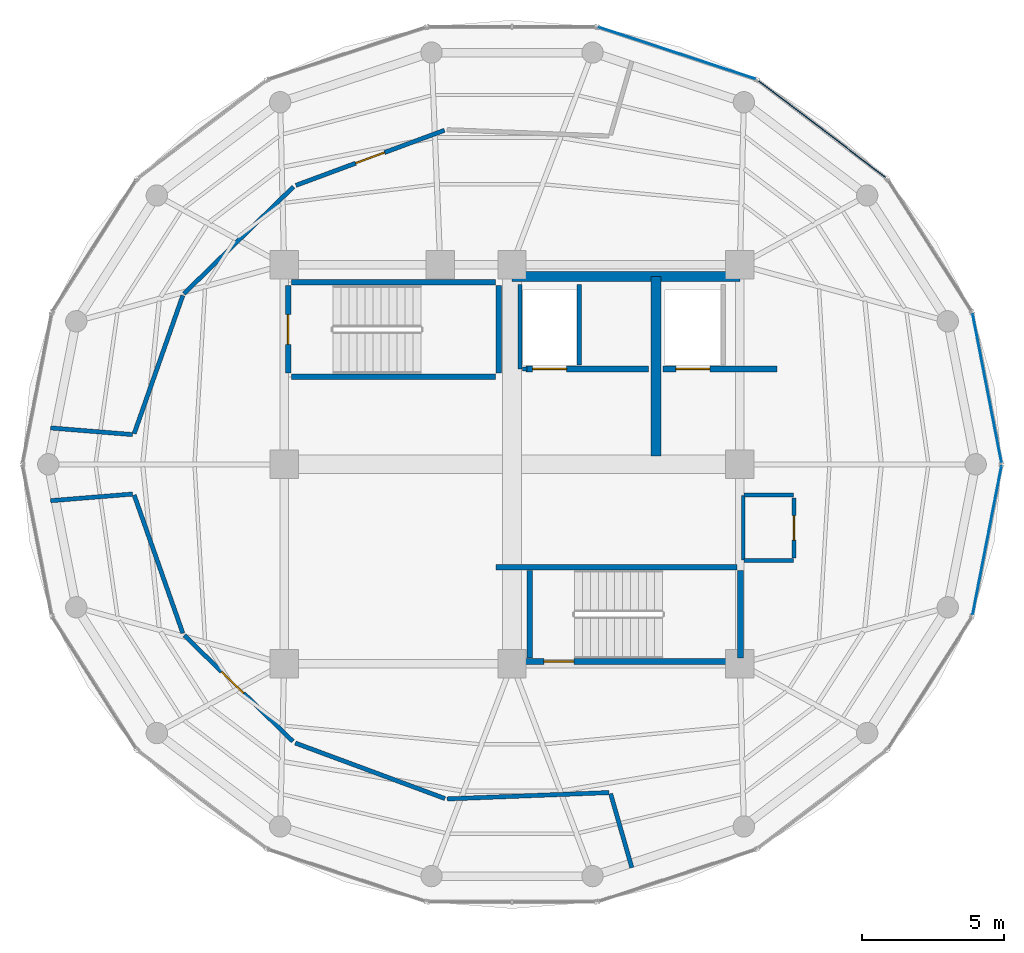
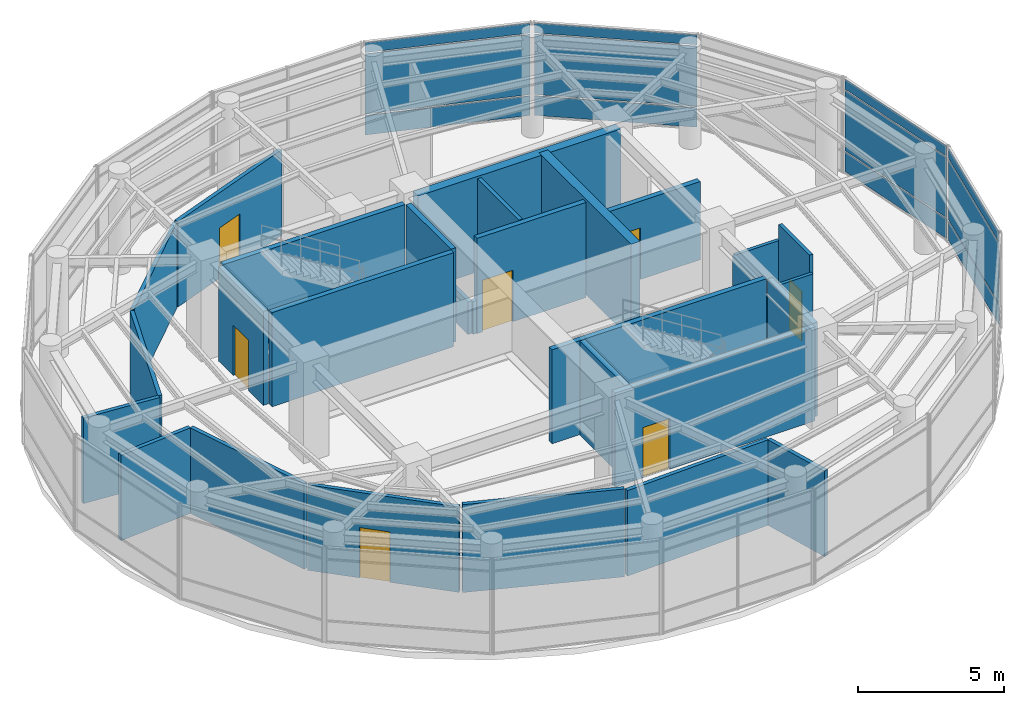
# One storey, part 17 of 19: 29 walls, 12 plates, 7 doors, 7 openings, 4 elements without a shape of their own.
"""IFC4 building model written with IfcOpenShell, lengths in metres."""

from ifc_helpers import new_model, si_unit, direction, frame, frame_2d, origin, origin_2d, place, context, subcontext, project, spatial, rectangle, extrude, source, transform, mapped, material, layer, layer_set, type_object, element, fill, aggregate, save


model = new_model("IFC4")

# Units and contexts
model_context = context("Model", 3, precision=1e-05, world=origin(), true_north=direction((0.0, 1.0)))
body_context = subcontext(model_context, "Body", "Model", "MODEL_VIEW")
ifc_project = project(units=[si_unit("LENGTHUNIT", "METRE"), si_unit("AREAUNIT", "SQUARE_METRE"), si_unit("VOLUMEUNIT", "CUBIC_METRE"), si_unit("PLANEANGLEUNIT", "RADIAN"), si_unit("MASSUNIT", "GRAM", prefix="KILO")], contexts=[model_context])

# Site, building, storey
site_placement = place(None, origin())
site = spatial("IfcSite", under=ifc_project, at=site_placement, CompositionType="ELEMENT")
building_placement = place(site_placement, origin())
building = spatial("IfcBuilding", under=site, at=building_placement, Name="Kelanora Arch Commons", CompositionType="ELEMENT")
storey_placement = place(building_placement, frame((0.0, 0.0, 306.89990234375)))
storey = spatial("IfcBuildingStorey", under=building, at=storey_placement, Name="L78", CompositionType="ELEMENT", Elevation=306.89990234375)

# Curtain wall, plate
ifc_material_1 = material(Name="Terracotta ceramic-fritted low-E glass and aluminium", Category="masonry")
ifc_layer_1 = layer(ifc_material_1, 0.14990234375)
ifc_layer_set_1 = layer_set([ifc_layer_1], Name="Terracotta ceramic-fritted low-E glass and aluminium")
curtain_wall_type = type_object("IfcCurtainWallType", Name="CW-SYS-06", PredefinedType="NOTDEFINED", material=ifc_layer_set_1)
curtain_wall_1_placement = place(storey_placement, origin())
curtain_wall_1 = element("IfcCurtainWall", 1, at=curtain_wall_1_placement, inside=storey, type_object=curtain_wall_type, Name="Unitised Curtain Wall L78-B00", PredefinedType="NOTDEFINED")
ifc_material_2 = material(Name="Terracotta ceramic-fritted double glazing", Category="masonry")
ifc_layer_2 = layer(ifc_material_2, 0.028076171875)
ifc_layer_set_2 = layer_set([ifc_layer_2], Name="Terracotta ceramic-fritted double glazing")
plate_type = type_object("IfcPlateType", Name="CWP-FRIT", PredefinedType="CURTAIN_PANEL", material=ifc_layer_set_2)
shared_shape_1 = source(origin(), body_context, "Body", "SweptSolid", [
    extrude(rectangle(XDim=5.285400390625, YDim=0.028076171875, at=origin_2d()), origin(), (0.0, 0.0, 1.0), 0.81005859375),
])
plate_1_placement = place(storey_placement, frame((90.681396484375, 60.667724609375, 0.06005859375), z_axis=(0.0, 0.0, 1.0), x_axis=(-0.190826579571, 0.981623765263, 0.0)))
plate_1 = element("IfcPlate", 2, at=plate_1_placement, type_object=plate_type, Name="CW-06 panel 1.1", PredefinedType="CURTAIN_PANEL", context=body_context, shape_type="MappedRepresentation", body=[
    mapped(shared_shape_1, transform((0.0, 0.0, 0.0), scale=1.0)),
])

curtain_wall_2_placement = place(storey_placement, origin())
curtain_wall_2 = element("IfcCurtainWall", 3, at=curtain_wall_2_placement, inside=storey, type_object=curtain_wall_type, Name="Unitised Curtain Wall L78-B17", PredefinedType="NOTDEFINED")
plate_2_placement = place(storey_placement, frame((90.681396484375, 55.332275390625, 0.06005859375), z_axis=(0.0, 0.0, 1.0), x_axis=(0.190826579571, 0.981623765263, 0.0)))
plate_2 = element("IfcPlate", 4, at=plate_2_placement, type_object=plate_type, Name="CW-06 panel 1.1", PredefinedType="CURTAIN_PANEL", context=body_context, shape_type="MappedRepresentation", body=[
    mapped(shared_shape_1, transform((0.0, 0.0, 0.0), scale=1.0)),
])

# Plate
shared_shape_2 = source(origin(), body_context, "Body", "SweptSolid", [
    extrude(rectangle(XDim=5.285400390625, YDim=0.028076171875, at=origin_2d()), origin(), (0.0, 0.0, 1.0), 0.409912109375),
])
plate_3_placement = place(storey_placement, frame((90.681396484375, 60.667724609375, 3.4951171875), z_axis=(0.0, 0.0, 1.0), x_axis=(-0.190826579571, 0.981623765263, 0.0)))
plate_3 = element("IfcPlate", 5, at=plate_3_placement, type_object=plate_type, Name="CW-06 panel 1.3", PredefinedType="CURTAIN_PANEL", context=body_context, shape_type="MappedRepresentation", body=[
    mapped(shared_shape_2, transform((0.0, 0.0, 0.0), scale=1.0)),
])

plate_4_placement = place(storey_placement, frame((90.681396484375, 55.332275390625, 3.4951171875), z_axis=(0.0, 0.0, 1.0), x_axis=(0.190826579571, 0.981623765263, 0.0)))
plate_4 = element("IfcPlate", 6, at=plate_4_placement, type_object=plate_type, Name="CW-06 panel 1.3", PredefinedType="CURTAIN_PANEL", context=body_context, shape_type="MappedRepresentation", body=[
    mapped(shared_shape_2, transform((0.0, 0.0, 0.0), scale=1.0)),
])

# Curtain wall, plates
curtain_wall_3_placement = place(storey_placement, origin())
curtain_wall_3 = element("IfcCurtainWall", 7, at=curtain_wall_3_placement, inside=storey, type_object=curtain_wall_type, Name="Unitised Curtain Wall L78-B03", PredefinedType="NOTDEFINED")
shared_shape_3 = source(origin(), body_context, "Body", "SweptSolid", [
    extrude(rectangle(XDim=5.76123046875, YDim=0.028076171875, at=origin_2d()), origin(), (0.0, 0.0, 1.0), 0.81005859375),
])
plate_5_placement = place(storey_placement, frame((79.79345703125, 72.4365234375, 0.06005859375), z_axis=(0.0, 0.0, 1.0), x_axis=(-0.949599145368, 0.313466845323, 0.0)))
plate_5 = element("IfcPlate", 8, at=plate_5_placement, type_object=plate_type, Name="CW-06 panel 1.1", PredefinedType="CURTAIN_PANEL", context=body_context, shape_type="MappedRepresentation", body=[
    mapped(shared_shape_3, transform((0.0, 0.0, 0.0), scale=1.0)),
])
shared_shape_4 = source(origin(), body_context, "Body", "SweptSolid", [
    extrude(rectangle(XDim=5.76123046875, YDim=0.028076171875, at=origin_2d()), origin(), (0.0, 0.0, 1.0), 0.409912109375),
])
plate_6_placement = place(storey_placement, frame((79.79345703125, 72.4365234375, 3.4951171875), z_axis=(0.0, 0.0, 1.0), x_axis=(-0.949599145368, 0.313466845323, 0.0)))
plate_6 = element("IfcPlate", 9, at=plate_6_placement, type_object=plate_type, Name="CW-06 panel 1.3", PredefinedType="CURTAIN_PANEL", context=body_context, shape_type="MappedRepresentation", body=[
    mapped(shared_shape_4, transform((0.0, 0.0, 0.0), scale=1.0)),
])

curtain_wall_4_placement = place(storey_placement, origin())
curtain_wall_4 = element("IfcCurtainWall", 10, at=curtain_wall_4_placement, inside=storey, type_object=curtain_wall_type, Name="Unitised Curtain Wall L78-B02", PredefinedType="NOTDEFINED")
shared_shape_5 = source(origin(), body_context, "Body", "SweptSolid", [
    extrude(rectangle(XDim=5.6005859375, YDim=0.028076171875, at=origin_2d()), origin(), (0.0, 0.0, 1.0), 0.81005859375),
])
plate_7_placement = place(storey_placement, frame((84.887939453125, 69.768798828125, 0.06005859375), z_axis=(0.0, 0.0, 1.0), x_axis=(-0.795772286688, 0.605595960801, 0.0)))
plate_7 = element("IfcPlate", 11, at=plate_7_placement, type_object=plate_type, Name="CW-06 panel 1.1", PredefinedType="CURTAIN_PANEL", context=body_context, shape_type="MappedRepresentation", body=[
    mapped(shared_shape_5, transform((0.0, 0.0, 0.0), scale=1.0)),
])
shared_shape_6 = source(origin(), body_context, "Body", "SweptSolid", [
    extrude(rectangle(XDim=5.6005859375, YDim=0.028076171875, at=origin_2d()), origin(), (0.0, 0.0, 1.0), 0.409912109375),
])
plate_8_placement = place(storey_placement, frame((84.887939453125, 69.768798828125, 3.4951171875), z_axis=(0.0, 0.0, 1.0), x_axis=(-0.795772286688, 0.605595960801, 0.0)))
plate_8 = element("IfcPlate", 12, at=plate_8_placement, type_object=plate_type, Name="CW-06 panel 1.3", PredefinedType="CURTAIN_PANEL", context=body_context, shape_type="MappedRepresentation", body=[
    mapped(shared_shape_6, transform((0.0, 0.0, 0.0), scale=1.0)),
])

# Plate
shared_shape_7 = source(origin(), body_context, "Body", "SweptSolid", [
    extrude(rectangle(XDim=5.285400390625, YDim=0.028076171875, at=origin_2d()), origin(), (0.0, 0.0, 1.0), 2.5048828125),
])
plate_9_placement = place(storey_placement, frame((90.681396484375, 60.667724609375, 0.93017578125), z_axis=(0.0, 0.0, 1.0), x_axis=(-0.190826579571, 0.981623765263, 0.0)))
plate_9 = element("IfcPlate", 13, at=plate_9_placement, type_object=plate_type, Name="CW-06 panel 1.2", PredefinedType="CURTAIN_PANEL", context=body_context, shape_type="MappedRepresentation", body=[
    mapped(shared_shape_7, transform((0.0, 0.0, 0.0), scale=1.0)),
])

aggregate(curtain_wall_1, [plate_1, plate_9, plate_3])

plate_10_placement = place(storey_placement, frame((90.681396484375, 55.332275390625, 0.93017578125), z_axis=(0.0, 0.0, 1.0), x_axis=(0.190826579571, 0.981623765263, 0.0)))
plate_10 = element("IfcPlate", 14, at=plate_10_placement, type_object=plate_type, Name="CW-06 panel 1.2", PredefinedType="CURTAIN_PANEL", context=body_context, shape_type="MappedRepresentation", body=[
    mapped(shared_shape_7, transform((0.0, 0.0, 0.0), scale=1.0)),
])

aggregate(curtain_wall_2, [plate_2, plate_10, plate_4])

shared_shape_8 = source(origin(), body_context, "Body", "SweptSolid", [
    extrude(rectangle(XDim=5.6005859375, YDim=0.028076171875, at=origin_2d()), origin(), (0.0, 0.0, 1.0), 2.5048828125),
])
plate_11_placement = place(storey_placement, frame((84.887939453125, 69.768798828125, 0.93017578125), z_axis=(0.0, 0.0, 1.0), x_axis=(-0.795772286688, 0.605595960801, 0.0)))
plate_11 = element("IfcPlate", 15, at=plate_11_placement, type_object=plate_type, Name="CW-06 panel 1.2", PredefinedType="CURTAIN_PANEL", context=body_context, shape_type="MappedRepresentation", body=[
    mapped(shared_shape_8, transform((0.0, 0.0, 0.0), scale=1.0)),
])

aggregate(curtain_wall_4, [plate_7, plate_11, plate_8])

shared_shape_9 = source(origin(), body_context, "Body", "SweptSolid", [
    extrude(rectangle(XDim=5.76123046875, YDim=0.028076171875, at=origin_2d()), origin(), (0.0, 0.0, 1.0), 2.5048828125),
])
plate_12_placement = place(storey_placement, frame((79.79345703125, 72.4365234375, 0.93017578125), z_axis=(0.0, 0.0, 1.0), x_axis=(-0.949599145368, 0.313466845323, 0.0)))
plate_12 = element("IfcPlate", 16, at=plate_12_placement, type_object=plate_type, Name="CW-06 panel 1.2", PredefinedType="CURTAIN_PANEL", context=body_context, shape_type="MappedRepresentation", body=[
    mapped(shared_shape_9, transform((0.0, 0.0, 0.0), scale=1.0)),
])

aggregate(curtain_wall_3, [plate_5, plate_12, plate_6])

# Walls
ifc_material_3 = material(Name="Autoclaved aerated concrete blockwork with fire plaster", Category="masonry")
ifc_layer_3 = layer(ifc_material_3, 0.14990234375)
ifc_layer_set_3 = layer_set([ifc_layer_3], Name="Autoclaved aerated concrete blockwork with fire plaster")
wall_type_1 = type_object("IfcWallType", Name="W-COMP-150", PredefinedType="PARTITIONING", material=ifc_layer_set_3)
wall_1_placement = place(storey_placement, frame((74.280029296875, 61.35009765625, 0.0), z_axis=(0.0, 0.0, 1.0), x_axis=(0.0, 1.0, 0.0)))
element("IfcWall", 17, at=wall_1_placement, inside=storey, type_object=wall_type_1, Name="Firefighting Lift 1 West Shaft Wall L78", PredefinedType="PARTITIONING", context=body_context, shape_type="SweptSolid", body=[
    extrude(rectangle(XDim=2.969970703125, YDim=0.14990234375, at=frame_2d((1.48486328125, 0.0))), origin(), (0.0, 0.0, 1.0), 1.364990234375),
])
wall_2_placement = place(storey_placement, frame((74.360107421875, 61.35009765625, 0.0), z_axis=(0.0, 0.0, 1.0), x_axis=(1.0, 0.0, 0.0)))
element("IfcWall", 18, at=wall_2_placement, inside=storey, type_object=wall_type_1, Name="Firefighting Lift 1 South-West Sill Wall L78", PredefinedType="PARTITIONING", context=body_context, shape_type="SweptSolid", body=[
    extrude(rectangle(XDim=0.159912109375, YDim=0.14990234375, at=frame_2d((0.080078125, 0.0))), origin(), (0.0, 0.0, 1.0), 1.364990234375),
])
wall_3_placement = place(storey_placement, frame((76.360107421875, 61.47998046875, 0.0), z_axis=(0.0, 0.0, 1.0), x_axis=(0.0, 1.0, 0.0)))
element("IfcWall", 19, at=wall_3_placement, inside=storey, type_object=wall_type_1, Name="Firefighting Lift 1 East Shaft Wall L78", PredefinedType="PARTITIONING", context=body_context, shape_type="SweptSolid", body=[
    extrude(rectangle(XDim=2.840087890625, YDim=0.14990234375, at=frame_2d((1.419921875, 0.0))), origin(), (0.0, 0.0, 1.0), 3.97021484375),
])

# Wall, opening, door
wall_4_placement = place(storey_placement, frame((71.628662109375, 69.72802734375, 0.0), z_axis=(0.0, 0.0, 1.0), x_axis=(-0.937610047719, -0.34768865155, 0.0)))
wall_4 = element("IfcWall", 20, at=wall_4_placement, inside=storey, type_object=wall_type_1, Name="Crown Chiller and Cooling Tower Plant Room L78 Entry Partition", PredefinedType="PARTITIONING", context=body_context, shape_type="SweptSolid", body=[
    extrude(rectangle(XDim=5.5654296875, YDim=0.14990234375, at=frame_2d((2.78271484375, 0.0))), origin(), (0.0, 0.0, 1.0), 3.565185546875),
])
opening_1_placement = place(wall_4_placement, frame((2.242919921875, 0.0, 0.0)))
opening_1 = element("IfcOpeningElement", 21, at=opening_1_placement, cuts=wall_4, Name="Opening D-PLT1", PredefinedType="OPENING", context=body_context, shape_type="SweptSolid", body=[
    extrude(rectangle(XDim=1.080078125, YDim=2.10009765625, at=frame_2d((0.5400390625, 1.050048828125))), frame((0.0, 0.0849609375, 0.0), z_axis=(0.0, -1.0, 0.0), x_axis=(1.0, 0.0, 0.0)), (0.0, 0.0, 1.0), 0.169921875),
])
ifc_material_4 = material(Name="Galvanised steel plant and riser fire door", Category="steel")
door_type_1 = type_object("IfcDoorType", Name="D-PLT-110", OperationType="NOTDEFINED", PredefinedType="DOOR", material=ifc_material_4)
door_1_placement = place(opening_1_placement, origin())
door_1 = element("IfcDoor", 22, at=door_1_placement, inside=storey, type_object=door_type_1, Name="Crown Chiller and Cooling Tower Plant Room L78 Door", OperationType="SINGLE_SWING_RIGHT", OverallHeight=2.10009765625, OverallWidth=1.080078125, PredefinedType="DOOR", context=body_context, shape_type="SweptSolid", body=[
    extrude(rectangle(XDim=1.080078125, YDim=2.10009765625, at=frame_2d((0.5400390625, 1.050048828125))), frame((0.0, 0.02490234375, 0.0), z_axis=(0.0, -1.0, 0.0), x_axis=(1.0, 0.0, 0.0)), (0.0, 0.0, 1.0), 0.050048828125),
])
fill(opening_1, door_1)

wall_5_placement = place(storey_placement, frame((62.498779296875, 51.9931640625, 0.0), z_axis=(0.0, 0.0, 1.0), x_axis=(0.71541878573, -0.698695900249, 0.0)))
wall_5 = element("IfcWall", 23, at=wall_5_placement, inside=storey, type_object=wall_type_1, Name="Broadcast Transmitter and Machine Plant Room L78 Entry Partition", PredefinedType="PARTITIONING", context=body_context, shape_type="SweptSolid", body=[
    extrude(rectangle(XDim=5.32861328125, YDim=0.14990234375, at=frame_2d((2.664306640625, 0.0))), origin(), (0.0, 0.0, 1.0), 3.565185546875),
])
opening_2_placement = place(wall_5_placement, frame((1.823974609375, 0.0, 0.0)))
opening_2 = element("IfcOpeningElement", 24, at=opening_2_placement, cuts=wall_5, Name="Opening D-PLT1", PredefinedType="OPENING", context=body_context, shape_type="SweptSolid", body=[
    extrude(rectangle(XDim=1.080078125, YDim=2.10009765625, at=frame_2d((0.5400390625, 1.050048828125))), frame((0.0, 0.0849609375, 0.0), z_axis=(0.0, -1.0, 0.0), x_axis=(1.0, 0.0, 0.0)), (0.0, 0.0, 1.0), 0.169921875),
])
door_2_placement = place(opening_2_placement, origin())
door_2 = element("IfcDoor", 25, at=door_2_placement, inside=storey, type_object=door_type_1, Name="Broadcast Transmitter and Machine Plant Room L78 Door", OperationType="SINGLE_SWING_LEFT", OverallHeight=2.10009765625, OverallWidth=1.080078125, PredefinedType="DOOR", context=body_context, shape_type="SweptSolid", body=[
    extrude(rectangle(XDim=1.080078125, YDim=2.10009765625, at=frame_2d((0.5400390625, 1.050048828125))), frame((0.0, 0.02490234375, 0.0), z_axis=(0.0, -1.0, 0.0), x_axis=(1.0, 0.0, 0.0)), (0.0, 0.0, 1.0), 0.050048828125),
])
fill(opening_2, door_2)

# Walls
wall_6_placement = place(storey_placement, frame((66.325439453125, 67.744140625, 0.0), z_axis=(0.0, 0.0, 1.0), x_axis=(-0.715402081333, -0.698713004047, 0.0)))
element("IfcWall", 26, at=wall_6_placement, inside=storey, type_object=wall_type_1, Name="Crown Chiller and Cooling Tower Plant Room L78 Enclosure Partition 3", PredefinedType="PARTITIONING", context=body_context, shape_type="SweptSolid", body=[
    extrude(rectangle(XDim=5.36865234375, YDim=0.14990234375, at=frame_2d((2.684326171875, 0.0))), origin(), (0.0, 0.0, 1.0), 3.565185546875),
])
wall_7_placement = place(storey_placement, frame((62.442626953125, 63.92724609375, 0.0), z_axis=(0.0, 0.0, 1.0), x_axis=(-0.332236382146, -0.943196154773, 0.0)))
element("IfcWall", 27, at=wall_7_placement, inside=storey, type_object=wall_type_1, Name="Crown Chiller and Cooling Tower Plant Room L78 Enclosure Partition 4", PredefinedType="PARTITIONING", context=body_context, shape_type="SweptSolid", body=[
    extrude(rectangle(XDim=5.1416015625, YDim=0.14990234375, at=frame_2d((2.57080078125, 0.0))), origin(), (0.0, 0.0, 1.0), 3.565185546875),
])
wall_8_placement = place(storey_placement, frame((60.68115234375, 59.043212890625, 0.0), z_axis=(0.0, 0.0, 1.0), x_axis=(-0.996696214814, 0.081219796696, 0.0)))
element("IfcWall", 28, at=wall_8_placement, inside=storey, type_object=wall_type_1, Name="Crown Chiller and Cooling Tower Plant Room L78 Enclosure Partition 5", PredefinedType="PARTITIONING", context=body_context, shape_type="SweptSolid", body=[
    extrude(rectangle(XDim=2.888671875, YDim=0.14990234375, at=frame_2d((1.4443359375, 0.0))), origin(), (0.0, 0.0, 1.0), 3.565185546875),
])
wall_9_placement = place(storey_placement, frame((60.734375, 56.92236328125, 0.0), z_axis=(0.0, 0.0, 1.0), x_axis=(0.332236382146, -0.943196154773, 0.0)))
element("IfcWall", 29, at=wall_9_placement, inside=storey, type_object=wall_type_1, Name="Broadcast Transmitter and Machine Plant Room L78 Enclosure Partition 1", PredefinedType="PARTITIONING", context=body_context, shape_type="SweptSolid", body=[
    extrude(rectangle(XDim=5.1416015625, YDim=0.14990234375, at=frame_2d((2.57080078125, 0.0))), origin(), (0.0, 0.0, 1.0), 3.565185546875),
])
wall_10_placement = place(storey_placement, frame((66.3916015625, 48.214111328125, 0.0), z_axis=(0.0, 0.0, 1.0), x_axis=(0.937597367655, -0.347722843894, 0.0)))
element("IfcWall", 30, at=wall_10_placement, inside=storey, type_object=wall_type_1, Name="Broadcast Transmitter and Machine Plant Room L78 Enclosure Partition 3", PredefinedType="PARTITIONING", context=body_context, shape_type="SweptSolid", body=[
    extrude(rectangle(XDim=5.605712890625, YDim=0.14990234375, at=frame_2d((2.802734375, 0.0))), origin(), (0.0, 0.0, 1.0), 3.6650390625),
])
wall_11_placement = place(storey_placement, frame((71.72509765625, 46.252685546875, 0.0), z_axis=(0.0, 0.0, 1.0), x_axis=(0.999233860457, 0.03913683834, 0.0)))
element("IfcWall", 31, at=wall_11_placement, inside=storey, type_object=wall_type_1, Name="Broadcast Transmitter and Machine Plant Room L78 Enclosure Partition 4", PredefinedType="PARTITIONING", context=body_context, shape_type="SweptSolid", body=[
    extrude(rectangle(XDim=5.689208984375, YDim=0.14990234375, at=frame_2d((2.8447265625, 0.0))), origin(), (0.0, 0.0, 1.0), 3.565185546875),
])
wall_12_placement = place(storey_placement, frame((77.4609375, 46.438720703125, 0.0), z_axis=(0.0, 0.0, 1.0), x_axis=(0.276223004297, -0.961093570833, 0.0)))
element("IfcWall", 32, at=wall_12_placement, inside=storey, type_object=wall_type_1, Name="Broadcast Transmitter and Machine Plant Room L78 Enclosure Partition 5", PredefinedType="PARTITIONING", context=body_context, shape_type="SweptSolid", body=[
    extrude(rectangle(XDim=2.70458984375, YDim=0.14990234375, at=frame_2d((1.352294921875, 0.0))), origin(), (0.0, 0.0, 1.0), 3.565185546875),
])
wall_13_placement = place(storey_placement, frame((57.802001953125, 56.72216796875, 0.0), z_axis=(0.0, 0.0, 1.0), x_axis=(0.996696214814, 0.081219796696, 0.0)))
element("IfcWall", 33, at=wall_13_placement, inside=storey, type_object=wall_type_1, Name="Broadcast Transmitter and Machine Plant Room L78 Enclosure Partition 10", PredefinedType="PARTITIONING", context=body_context, shape_type="SweptSolid", body=[
    extrude(rectangle(XDim=2.888671875, YDim=0.14990234375, at=frame_2d((1.4443359375, 0.0))), origin(), (0.0, 0.0, 1.0), 3.565185546875),
])
ifc_material_5 = material(Name="Concrete C50/60", Category="concrete")
ifc_layer_4 = layer(ifc_material_5, 0.35009765625)
ifc_layer_set_4 = layer_set([ifc_layer_4], Name="Concrete C50/60")
wall_type_2 = type_object("IfcWallType", Name="W-CORE-350", PredefinedType="SHEAR", material=ifc_layer_set_4)
wall_14_placement = place(storey_placement, frame((74.0, 64.60009765625, 0.0), z_axis=(0.0, 0.0, 1.0), x_axis=(1.0, 0.0, 0.0)))
element("IfcWall", 34, at=wall_14_placement, inside=storey, type_object=wall_type_2, Name="Core Shear Spine L78-CN-E", PredefinedType="SHEAR", context=body_context, shape_type="SweptSolid", body=[
    extrude(rectangle(XDim=8.0, YDim=0.35009765625, at=frame_2d((4.0, 0.0))), origin(), (0.0, 0.0, 1.0), 3.97998046875),
])
wall_15_placement = place(storey_placement, frame((79.050048828125, 58.300048828125, 0.0), z_axis=(0.0, 0.0, 1.0), x_axis=(0.0, 1.0, 0.0)))
element("IfcWall", 35, at=wall_15_placement, inside=storey, type_object=wall_type_2, Name="Core Shear Spine L78-CE-N", PredefinedType="SHEAR", context=body_context, shape_type="SweptSolid", body=[
    extrude(rectangle(XDim=6.300048828125, YDim=0.35009765625, at=frame_2d((3.14990234375, 0.0))), origin(), (0.0, 0.0, 1.0), 3.97998046875),
])

# Wall, opening, door
ifc_material_6 = material(Name="Concrete C40/50", Category="concrete")
ifc_layer_5 = layer(ifc_material_6, 0.199951171875)
ifc_layer_set_5 = layer_set([ifc_layer_5], Name="Concrete C40/50")
wall_type_3 = type_object("IfcWallType", Name="W-FFL-200", PredefinedType="SOLIDWALL", material=ifc_layer_set_5)
wall_16_placement = place(storey_placement, frame((74.5, 61.35009765625, 0.0), z_axis=(0.0, 0.0, 1.0), x_axis=(1.0, 0.0, 0.0)))
wall_16 = element("IfcWall", 36, at=wall_16_placement, inside=storey, type_object=wall_type_3, Name="Firefighting Lift 1 Shaft Front L78", PredefinedType="SOLIDWALL", context=body_context, shape_type="SweptSolid", body=[
    extrude(rectangle(XDim=4.300048828125, YDim=0.199951171875, at=frame_2d((2.14990234375, 0.0))), origin(), (0.0, 0.0, 1.0), 3.97021484375),
])
opening_3_placement = place(wall_16_placement, frame((0.219970703125, 0.0, 0.0)))
opening_3 = element("IfcOpeningElement", 37, at=opening_3_placement, cuts=wall_16, Name="Opening LD-FF", PredefinedType="OPENING", context=body_context, shape_type="SweptSolid", body=[
    extrude(rectangle(XDim=1.199951171875, YDim=2.14990234375, at=frame_2d((0.60009765625, 1.074951171875))), frame((0.0, 0.10986328125, 0.0), z_axis=(0.0, -1.0, 0.0), x_axis=(1.0, 0.0, 0.0)), (0.0, 0.0, 1.0), 0.219970703125),
])
ifc_material_7 = material(Name="Fire-rated firefighters lift sliding landing door")
door_type_2 = type_object("IfcDoorType", Name="D-LIFT-FF", OperationType="NOTDEFINED", PredefinedType="DOOR", material=ifc_material_7)
door_3_placement = place(opening_3_placement, origin())
door_3 = element("IfcDoor", 38, at=door_3_placement, inside=storey, type_object=door_type_2, Name="Firefighting Lift LF-FF1 Landing Door L78", OperationType="DOUBLE_DOOR_SLIDING", OverallHeight=2.14990234375, OverallWidth=1.199951171875, PredefinedType="DOOR", context=body_context, shape_type="SweptSolid", body=[
    extrude(rectangle(XDim=1.199951171875, YDim=2.14990234375, at=frame_2d((0.60009765625, 1.074951171875))), frame((0.0, 0.02490234375, 0.0), z_axis=(0.0, -1.0, 0.0), x_axis=(1.0, 0.0, 0.0)), (0.0, 0.0, 1.0), 0.050048828125),
])
fill(opening_3, door_3)

wall_17_placement = place(storey_placement, frame((79.300048828125, 61.35009765625, 0.0), z_axis=(0.0, 0.0, 1.0), x_axis=(1.0, 0.0, 0.0)))
wall_17 = element("IfcWall", 39, at=wall_17_placement, inside=storey, type_object=wall_type_3, Name="Firefighting Lift 2 Shaft Front L78", PredefinedType="SOLIDWALL", context=body_context, shape_type="SweptSolid", body=[
    extrude(rectangle(XDim=4.0, YDim=0.199951171875, at=frame_2d((2.0, 0.0))), origin(), (0.0, 0.0, 1.0), 3.26513671875),
])
opening_4_placement = place(wall_17_placement, frame((0.449951171875, 0.0, 0.0)))
opening_4 = element("IfcOpeningElement", 40, at=opening_4_placement, cuts=wall_17, Name="Opening LD-FF", PredefinedType="OPENING", context=body_context, shape_type="SweptSolid", body=[
    extrude(rectangle(XDim=1.199951171875, YDim=2.14990234375, at=frame_2d((0.60009765625, 1.074951171875))), frame((0.0, 0.10986328125, 0.0), z_axis=(0.0, -1.0, 0.0), x_axis=(1.0, 0.0, 0.0)), (0.0, 0.0, 1.0), 0.219970703125),
])
door_4_placement = place(opening_4_placement, origin())
door_4 = element("IfcDoor", 41, at=door_4_placement, inside=storey, type_object=door_type_2, Name="Firefighting Lift LF-FF2 Landing Door L78", OperationType="DOUBLE_DOOR_SLIDING", OverallHeight=2.14990234375, OverallWidth=1.199951171875, PredefinedType="DOOR", context=body_context, shape_type="SweptSolid", body=[
    extrude(rectangle(XDim=1.199951171875, YDim=2.14990234375, at=frame_2d((0.60009765625, 1.074951171875))), frame((0.0, 0.02490234375, 0.0), z_axis=(0.0, -1.0, 0.0), x_axis=(1.0, 0.0, 0.0)), (0.0, 0.0, 1.0), 0.050048828125),
])
fill(opening_4, door_4)

# Walls
ifc_layer_6 = layer(ifc_material_6, 0.199951171875)
ifc_layer_set_6 = layer_set([ifc_layer_6], Name="Concrete C40/50")
wall_type_4 = type_object("IfcWallType", Name="W-STAIR-200", PredefinedType="SHEAR", material=ifc_layer_set_6)
wall_18_placement = place(storey_placement, frame((66.260009765625, 61.080078125, 0.0), z_axis=(0.0, 0.0, 1.0), x_axis=(1.0, 0.0, 0.0)))
element("IfcWall", 42, at=wall_18_placement, inside=storey, type_object=wall_type_4, Name="Stair ST-T1 Shaft Wall S L78", PredefinedType="SHEAR", context=body_context, shape_type="SweptSolid", body=[
    extrude(rectangle(XDim=7.159912109375, YDim=0.199951171875, at=frame_2d((3.580078125, 0.0))), origin(), (0.0, 0.0, 1.0), 3.920166015625),
])
wall_19_placement = place(storey_placement, frame((73.5400390625, 61.199951171875, 0.0), z_axis=(0.0, 0.0, 1.0), x_axis=(0.0, 1.0, 0.0)))
element("IfcWall", 43, at=wall_19_placement, inside=storey, type_object=wall_type_4, Name="Stair ST-T1 Shaft Wall E L78", PredefinedType="SHEAR", context=body_context, shape_type="SweptSolid", body=[
    extrude(rectangle(XDim=3.070068359375, YDim=0.199951171875, at=frame_2d((1.53515625, 0.0))), origin(), (0.0, 0.0, 1.0), 3.920166015625),
])
wall_20_placement = place(storey_placement, frame((73.419921875, 64.389892578125, 0.0), z_axis=(0.0, 0.0, 1.0), x_axis=(-1.0, 0.0, 0.0)))
element("IfcWall", 44, at=wall_20_placement, inside=storey, type_object=wall_type_4, Name="Stair ST-T1 Shaft Wall N L78", PredefinedType="SHEAR", context=body_context, shape_type="SweptSolid", body=[
    extrude(rectangle(XDim=7.159912109375, YDim=0.199951171875, at=frame_2d((3.580078125, 0.0))), origin(), (0.0, 0.0, 1.0), 3.920166015625),
])

# Wall, opening, door
wall_21_placement = place(storey_placement, frame((66.139892578125, 64.27001953125, 0.0), z_axis=(0.0, 0.0, 1.0), x_axis=(0.0, -1.0, 0.0)))
wall_21 = element("IfcWall", 45, at=wall_21_placement, inside=storey, type_object=wall_type_4, Name="Stair ST-T1 Shaft Wall W L78", PredefinedType="SHEAR", context=body_context, shape_type="SweptSolid", body=[
    extrude(rectangle(XDim=3.070068359375, YDim=0.199951171875, at=frame_2d((1.53515625, 0.0))), origin(), (0.0, 0.0, 1.0), 3.920166015625),
])
opening_5_placement = place(wall_21_placement, frame((1.010009765625, 0.0, 0.0)))
opening_5 = element("IfcOpeningElement", 46, at=opening_5_placement, cuts=wall_21, Name="Opening D-ST1", PredefinedType="OPENING", context=body_context, shape_type="SweptSolid", body=[
    extrude(rectangle(XDim=1.050048828125, YDim=2.10009765625, at=frame_2d((0.52490234375, 1.050048828125))), frame((0.0, 0.10986328125, 0.0), z_axis=(0.0, -1.0, 0.0), x_axis=(1.0, 0.0, 0.0)), (0.0, 0.0, 1.0), 0.219970703125),
])
ifc_material_8 = material(Name="Steel fire-rated stairwell escape door", Category="steel")
door_type_3 = type_object("IfcDoorType", Name="D-STAIR-110", OperationType="NOTDEFINED", PredefinedType="DOOR", material=ifc_material_8)
door_5_placement = place(opening_5_placement, origin())
door_5 = element("IfcDoor", 47, at=door_5_placement, inside=storey, type_object=door_type_3, Name="Stair ST-T1 Escape Door L78", OperationType="SINGLE_SWING_LEFT", OverallHeight=2.10009765625, OverallWidth=1.050048828125, PredefinedType="DOOR", context=body_context, shape_type="SweptSolid", body=[
    extrude(rectangle(XDim=1.050048828125, YDim=2.10009765625, at=frame_2d((0.52490234375, 1.050048828125))), frame((0.0, 0.02490234375, 0.0), z_axis=(0.0, -1.0, 0.0), x_axis=(1.0, 0.0, 0.0)), (0.0, 0.0, 1.0), 0.050048828125),
])
fill(opening_5, door_5)

wall_22_placement = place(storey_placement, frame((74.0, 51.080078125, 0.0), z_axis=(0.0, 0.0, 1.0), x_axis=(1.0, 0.0, 0.0)))
wall_22 = element("IfcWall", 48, at=wall_22_placement, inside=storey, type_object=wall_type_4, Name="Stair ST-T2 Shaft Wall S L78", PredefinedType="SHEAR", context=body_context, shape_type="SweptSolid", body=[
    extrude(rectangle(XDim=7.89990234375, YDim=0.199951171875, at=frame_2d((3.949951171875, 0.0))), origin(), (0.0, 0.0, 1.0), 3.920166015625),
])
opening_6_placement = place(wall_22_placement, frame((1.1201171875, 0.0, 0.0)))
opening_6 = element("IfcOpeningElement", 49, at=opening_6_placement, cuts=wall_22, Name="Opening D-ST1", PredefinedType="OPENING", context=body_context, shape_type="SweptSolid", body=[
    extrude(rectangle(XDim=1.050048828125, YDim=2.10009765625, at=frame_2d((0.52490234375, 1.050048828125))), frame((0.0, 0.10986328125, 0.0), z_axis=(0.0, -1.0, 0.0), x_axis=(1.0, 0.0, 0.0)), (0.0, 0.0, 1.0), 0.219970703125),
])
door_6_placement = place(opening_6_placement, origin())
door_6 = element("IfcDoor", 50, at=door_6_placement, inside=storey, type_object=door_type_3, Name="Stair ST-T2 Escape Door L78", OperationType="SINGLE_SWING_LEFT", OverallHeight=2.10009765625, OverallWidth=1.050048828125, PredefinedType="DOOR", context=body_context, shape_type="SweptSolid", body=[
    extrude(rectangle(XDim=1.050048828125, YDim=2.10009765625, at=frame_2d((0.52490234375, 1.050048828125))), frame((0.0, 0.02490234375, 0.0), z_axis=(0.0, -1.0, 0.0), x_axis=(1.0, 0.0, 0.0)), (0.0, 0.0, 1.0), 0.050048828125),
])
fill(opening_6, door_6)

# Walls
wall_23_placement = place(storey_placement, frame((82.02001953125, 51.199951171875, 0.0), z_axis=(0.0, 0.0, 1.0), x_axis=(0.0, 1.0, 0.0)))
element("IfcWall", 51, at=wall_23_placement, inside=storey, type_object=wall_type_4, Name="Stair ST-T2 Shaft Wall E L78", PredefinedType="SHEAR", context=body_context, shape_type="SweptSolid", body=[
    extrude(rectangle(XDim=3.070068359375, YDim=0.199951171875, at=frame_2d((1.53515625, 0.0))), origin(), (0.0, 0.0, 1.0), 3.920166015625),
])
wall_24_placement = place(storey_placement, frame((81.89990234375, 54.389892578125, 0.0), z_axis=(0.0, 0.0, 1.0), x_axis=(-1.0, 0.0, 0.0)))
element("IfcWall", 52, at=wall_24_placement, inside=storey, type_object=wall_type_4, Name="Stair ST-T2 Shaft Wall N L78", PredefinedType="SHEAR", context=body_context, shape_type="SweptSolid", body=[
    extrude(rectangle(XDim=8.4599609375, YDim=0.199951171875, at=frame_2d((4.22998046875, 0.0))), origin(), (0.0, 0.0, 1.0), 3.920166015625),
])
wall_25_placement = place(storey_placement, frame((74.6201171875, 54.27001953125, 0.0), z_axis=(0.0, 0.0, 1.0), x_axis=(0.0, -1.0, 0.0)))
element("IfcWall", 53, at=wall_25_placement, inside=storey, type_object=wall_type_4, Name="Stair ST-T2 Shaft Wall W L78", PredefinedType="SHEAR", context=body_context, shape_type="SweptSolid", body=[
    extrude(rectangle(XDim=3.070068359375, YDim=0.199951171875, at=frame_2d((1.53515625, 0.0))), origin(), (0.0, 0.0, 1.0), 3.920166015625),
])

# Wall, opening, door
ifc_material_9 = material(Name="Moisture-resistant fire-rated cement-board plumbing wall")
ifc_layer_7 = layer(ifc_material_9, 0.1298828125)
ifc_layer_set_7 = layer_set([ifc_layer_7], Name="Moisture-resistant fire-rated cement-board plumbing wall")
wall_type_5 = type_object("IfcWallType", Name="W-WET-120", PredefinedType="PLUMBINGWALL", material=ifc_layer_set_7)
wall_26_placement = place(storey_placement, frame((83.89990234375, 54.7099609375, 0.0), z_axis=(0.0, 0.0, 1.0), x_axis=(0.0, 1.0, 0.0)))
wall_26 = element("IfcWall", 54, at=wall_26_placement, inside=storey, type_object=wall_type_5, Name="Crown Maintenance Staff WC L78 Entry Partition", PredefinedType="PLUMBINGWALL", context=body_context, shape_type="SweptSolid", body=[
    extrude(rectangle(XDim=2.110107421875, YDim=0.1298828125, at=frame_2d((1.05517578125, 0.0))), origin(), (0.0, 0.0, 1.0), 3.97021484375),
])
opening_7_placement = place(wall_26_placement, frame((0.625, 0.0, 0.0)))
opening_7 = element("IfcOpeningElement", 55, at=opening_7_placement, cuts=wall_26, Name="Opening D-BT1", PredefinedType="OPENING", context=body_context, shape_type="SweptSolid", body=[
    extrude(rectangle(XDim=0.860107421875, YDim=2.050048828125, at=frame_2d((0.43017578125, 1.02490234375))), frame((0.0, 0.074951171875, 0.0), z_axis=(0.0, -1.0, 0.0), x_axis=(1.0, 0.0, 0.0)), (0.0, 0.0, 1.0), 0.14990234375),
])
ifc_material_10 = material(Name="Moisture-sealed fire-rated accessible bathroom door")
door_type_4 = type_object("IfcDoorType", Name="D-BATH-85", OperationType="NOTDEFINED", PredefinedType="DOOR", material=ifc_material_10)
door_7_placement = place(opening_7_placement, origin())
door_7 = element("IfcDoor", 56, at=door_7_placement, inside=storey, type_object=door_type_4, Name="Crown Maintenance Staff WC L78 Door", OperationType="SINGLE_SWING_RIGHT", OverallHeight=2.050048828125, OverallWidth=0.860107421875, PredefinedType="DOOR", context=body_context, shape_type="SweptSolid", body=[
    extrude(rectangle(XDim=0.860107421875, YDim=2.050048828125, at=frame_2d((0.43017578125, 1.02490234375))), frame((0.0, 0.02490234375, 0.0), z_axis=(0.0, -1.0, 0.0), x_axis=(1.0, 0.0, 0.0)), (0.0, 0.0, 1.0), 0.050048828125),
])
fill(opening_7, door_7)

# Walls
for number, where, z_axis, x_axis, name in (
    (57, (82.139892578125, 54.6201171875, 0.0), (0.0, 0.0, 1.0), (1.0, 0.0, 0.0), "Crown Maintenance Staff WC L78 Enclosure Partition 1"),
    (58, (83.8798828125, 56.919921875, 0.0), (0.0, 0.0, 1.0), (-1.0, 0.0, 0.0), "Crown Maintenance Staff WC L78 Enclosure Partition 3"),
):
    element("IfcWall", number, at=place(storey_placement, frame(where, z_axis=z_axis, x_axis=x_axis)), inside=storey, type_object=wall_type_5, Name=name, PredefinedType="PLUMBINGWALL", context=body_context, shape_type="SweptSolid", body=[
        extrude(rectangle(XDim=1.739990234375, YDim=0.1298828125, at=frame_2d((0.8701171875, 0.0))), origin(), (0.0, 0.0, 1.0), 3.26513671875),
    ])
wall_27_placement = place(storey_placement, frame((82.1201171875, 56.89990234375, 0.0), z_axis=(0.0, 0.0, 1.0), x_axis=(0.0, -1.0, 0.0)))
element("IfcWall", 59, at=wall_27_placement, inside=storey, type_object=wall_type_5, Name="Crown Maintenance Staff WC L78 Enclosure Partition 4", PredefinedType="PLUMBINGWALL", context=body_context, shape_type="SweptSolid", body=[
    extrude(rectangle(XDim=2.260009765625, YDim=0.1298828125, at=frame_2d((1.1298828125, 0.0))), origin(), (0.0, 0.0, 1.0), 3.26513671875),
])

save(model, "model.ifc")
